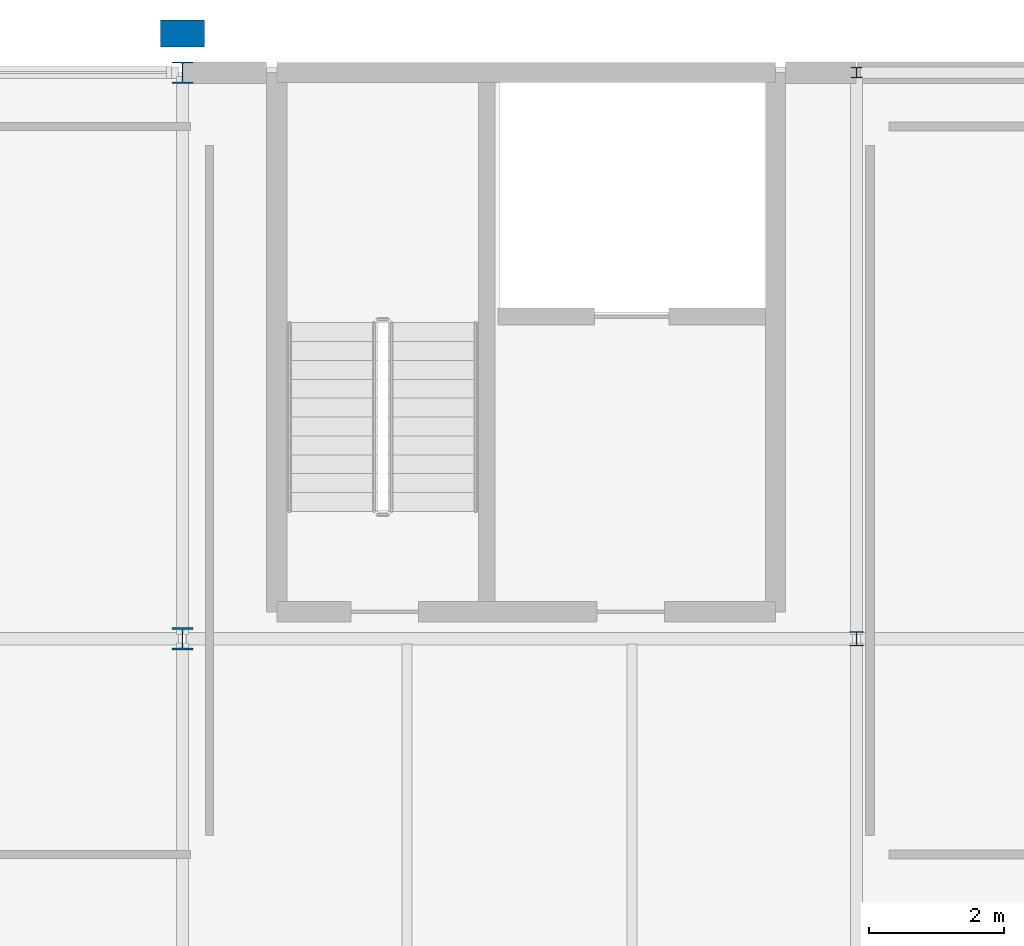
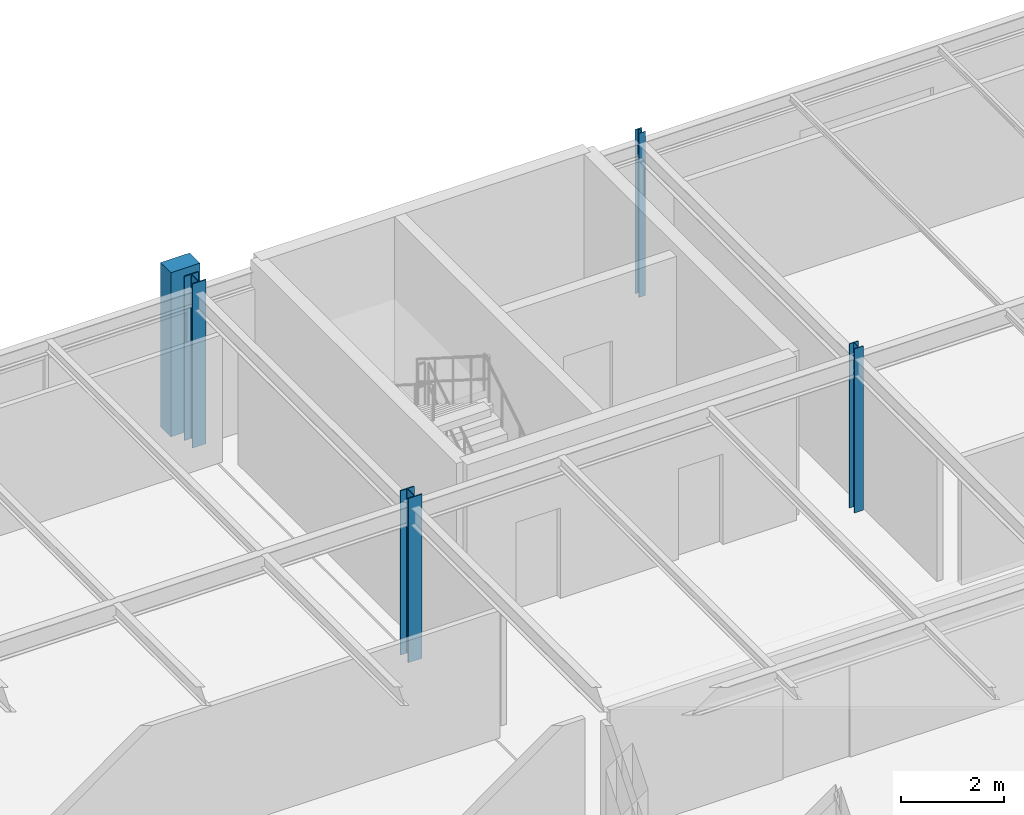
# One storey, part 26 of 98: 5 columns.
"""IFC4 building model written with IfcOpenShell, lengths in metres."""

from ifc_helpers import new_model, si_unit, derived_unit, direction, frame, origin, origin_2d_with_axis, place, context, subcontext, project, spatial, rectangle, i_section, extrude, material, material_profile, profile_set, type_object, element, save


model = new_model("IFC4")

# Units and contexts
model_context = context("Model", 3, precision=1e-05, world=origin(), true_north=direction((0.0, 1.0)))
body_context = subcontext(model_context, "Body", "Model", "MODEL_VIEW")
ifc_project = project(units=[si_unit("LENGTHUNIT", "METRE"), si_unit("AREAUNIT", "SQUARE_METRE"), si_unit("VOLUMEUNIT", "CUBIC_METRE"), si_unit("PLANEANGLEUNIT", "RADIAN"), si_unit("MASSUNIT", "GRAM", prefix="KILO"), derived_unit("THERMALTRANSMITTANCEUNIT", [(si_unit("POWERUNIT", "WATT"), 1), (si_unit("LENGTHUNIT", "METRE"), -2), (si_unit("THERMODYNAMICTEMPERATUREUNIT", "KELVIN"), -1)])], contexts=[model_context])

# Site, building, storey
site_placement = place(None, origin())
site = spatial("IfcSite", under=ifc_project, at=site_placement, CompositionType="ELEMENT")
building_placement = place(site_placement, origin())
building = spatial("IfcBuilding", under=site, at=building_placement, Name="Cinnabar Yard Market Hall", CompositionType="ELEMENT")
storey_placement = place(building_placement, frame((0.0, 0.0, 4.5)))
storey = spatial("IfcBuildingStorey", under=building, at=storey_placement, Name="L01", CompositionType="ELEMENT", Elevation=4.5)

# Columns
ifc_material_1 = material(Name="Steel Grade 350 (350 MPa)", Category="steel")
ifc_material_profile_1 = material_profile(ifc_material_1, i_section(OverallWidth=0.311279296875, OverallDepth=0.3271484375, WebThickness=0.015625, FlangeThickness=0.02490234375, FilletRadius=0.0166015625, at=origin_2d_with_axis()), Name="310UC158")
ifc_profile_set_1 = profile_set([ifc_material_profile_1], Name="Steel Grade 350 (350 MPa)")
column_type_1 = type_object("IfcColumnType", Name="COL-C06", PredefinedType="COLUMN", material=ifc_profile_set_1)
column_1_placement = place(storey_placement, frame((126.0, 129.60009765625, 0.0), z_axis=(0.0, 0.0, 1.0), x_axis=(1.0, 0.0, 0.0)))
element("IfcColumn", 1, at=column_1_placement, inside=storey, type_object=column_type_1, Name="Wing Column V3-07-04 L01", PredefinedType="COLUMN", context=body_context, shape_type="SweptSolid", body=[
    extrude(i_section(OverallWidth=0.311279296875, OverallDepth=0.3271484375, WebThickness=0.015625, FlangeThickness=0.02490234375, FilletRadius=0.0166015625, at=origin_2d_with_axis()), origin(), (0.0, 0.0, 1.0), 3.89990234375),
])
ifc_material_profile_2 = material_profile(ifc_material_1, i_section(OverallWidth=0.30908203125, OverallDepth=0.320556640625, WebThickness=0.013916015625, FlangeThickness=0.021728515625, FilletRadius=0.0166015625, at=origin_2d_with_axis()), Name="310UC137")
ifc_profile_set_2 = profile_set([ifc_material_profile_2], Name="Steel Grade 350 (350 MPa)")
column_type_2 = type_object("IfcColumnType", Name="COL-C07E", PredefinedType="COLUMN", material=ifc_profile_set_2)
column_2_placement = place(storey_placement, frame((126.0, 138.0, 0.0), z_axis=(0.0, 0.0, 1.0), x_axis=(1.0, 0.0, 0.0)))
element("IfcColumn", 2, at=column_2_placement, inside=storey, type_object=column_type_2, Name="Wing Column V3-07-05 L01", PredefinedType="COLUMN", context=body_context, shape_type="SweptSolid", body=[
    extrude(i_section(OverallWidth=0.30908203125, OverallDepth=0.320556640625, WebThickness=0.013916015625, FlangeThickness=0.021728515625, FilletRadius=0.0166015625, at=origin_2d_with_axis()), origin(), (0.0, 0.0, 1.0), 3.89990234375),
])
ifc_material_2 = material(Name="Steel Grade 300 (300 MPa)", Category="steel")
ifc_material_profile_3 = material_profile(ifc_material_2, i_section(OverallWidth=0.205078125, OverallDepth=0.209716796875, WebThickness=0.00927734375, FlangeThickness=0.01416015625, FilletRadius=0.011474609375, at=origin_2d_with_axis()), Name="200UC59.5")
ifc_profile_set_3 = profile_set([ifc_material_profile_3], Name="Steel Grade 300 (300 MPa)")
column_type_3 = type_object("IfcColumnType", Name="COL-C17", PredefinedType="COLUMN", material=ifc_profile_set_3)
column_3_placement = place(storey_placement, frame((136.0, 129.60009765625, 0.0), z_axis=(0.0, 0.0, 1.0), x_axis=(1.0, 0.0, 0.0)))
element("IfcColumn", 3, at=column_3_placement, inside=storey, type_object=column_type_3, Name="Wing Column V3-08-04 L01", PredefinedType="COLUMN", context=body_context, shape_type="SweptSolid", body=[
    extrude(i_section(OverallWidth=0.205078125, OverallDepth=0.209716796875, WebThickness=0.00927734375, FlangeThickness=0.01416015625, FilletRadius=0.011474609375, at=origin_2d_with_axis()), origin(), (0.0, 0.0, 1.0), 3.89990234375),
])
ifc_material_profile_4 = material_profile(ifc_material_2, i_section(OverallWidth=0.15283203125, OverallDepth=0.15771484375, WebThickness=0.006591796875, FlangeThickness=0.009521484375, FilletRadius=0.0087890625, at=origin_2d_with_axis()), Name="150UC30.0")
ifc_profile_set_4 = profile_set([ifc_material_profile_4], Name="Steel Grade 300 (300 MPa)")
column_type_4 = type_object("IfcColumnType", Name="COL-C18E", PredefinedType="COLUMN", material=ifc_profile_set_4)
column_4_placement = place(storey_placement, frame((136.0, 138.0, 0.0), z_axis=(0.0, 0.0, 1.0), x_axis=(1.0, 0.0, 0.0)))
element("IfcColumn", 4, at=column_4_placement, inside=storey, type_object=column_type_4, Name="Wing Column V3-08-05 L01", PredefinedType="COLUMN", context=body_context, shape_type="SweptSolid", body=[
    extrude(i_section(OverallWidth=0.15283203125, OverallDepth=0.15771484375, WebThickness=0.006591796875, FlangeThickness=0.009521484375, FilletRadius=0.0087890625, at=origin_2d_with_axis()), origin(), (0.0, 0.0, 1.0), 3.89990234375),
])
ifc_material_3 = material(Name="Concrete 40 MPa", Category="concrete")
ifc_material_profile_5 = material_profile(ifc_material_3, rectangle(XDim=0.64990234375, YDim=0.39990234375, at=origin_2d_with_axis()), Name="RC-650x400")
ifc_profile_set_5 = profile_set([ifc_material_profile_5], Name="Concrete 40 MPa")
column_type_5 = type_object("IfcColumnType", Name="COL-PIL2E", PredefinedType="PILASTER", material=ifc_profile_set_5)
column_5_placement = place(storey_placement, frame((126.0, 138.580078125, 0.0), z_axis=(0.0, 0.0, 1.0), x_axis=(1.0, 0.0, 0.0)))
element("IfcColumn", 5, at=column_5_placement, inside=storey, type_object=column_type_5, Name="Engaged Pilaster 10 L01", PredefinedType="PILASTER", context=body_context, shape_type="SweptSolid", body=[
    extrude(rectangle(XDim=0.64990234375, YDim=0.39990234375, at=origin_2d_with_axis()), origin(), (0.0, 0.0, 1.0), 3.89990234375),
])

save(model, "model.ifc")
